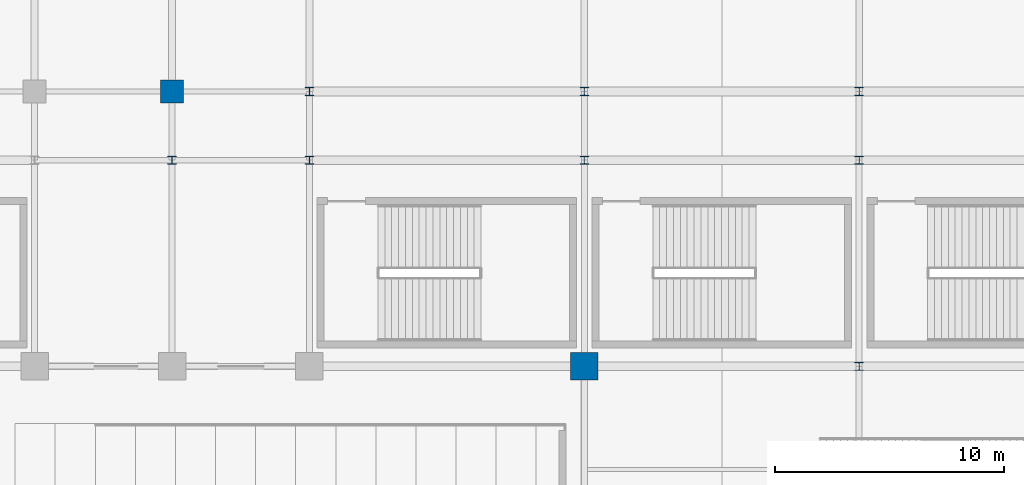
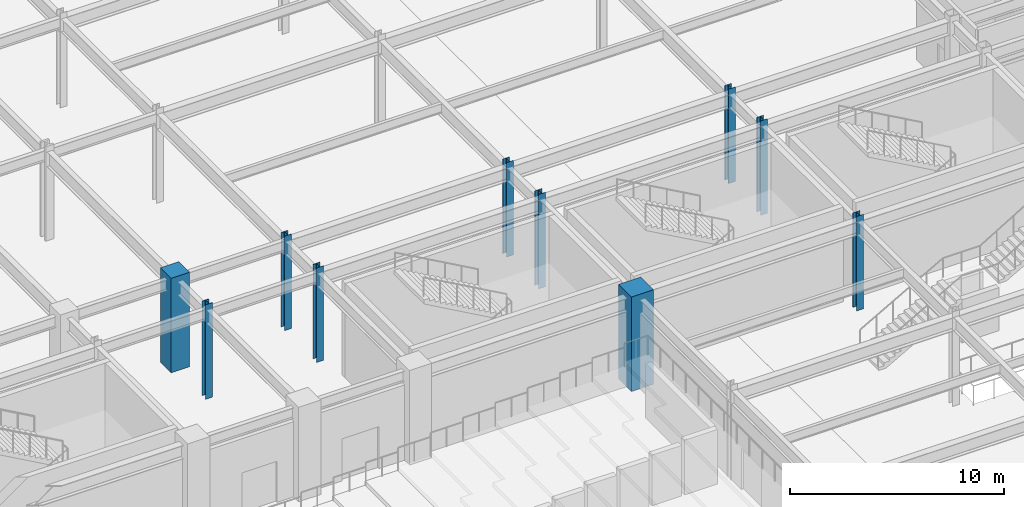
# One storey, part 12 of 100: 10 columns.
"""IFC4 building model written with IfcOpenShell, lengths in metres."""

from ifc_helpers import new_model, si_unit, direction, frame, origin, origin_2d, place, context, subcontext, project, spatial, rectangle, i_section, extrude, material, material_profile, profile_set, type_object, element, save


model = new_model("IFC4")

# Units and contexts
model_context = context("Model", 3, precision=1e-05, world=origin(), true_north=direction((0.0, 1.0)))
body_context = subcontext(model_context, "Body", "Model", "MODEL_VIEW")
ifc_project = project(units=[si_unit("LENGTHUNIT", "METRE"), si_unit("AREAUNIT", "SQUARE_METRE"), si_unit("VOLUMEUNIT", "CUBIC_METRE"), si_unit("PLANEANGLEUNIT", "RADIAN"), si_unit("MASSUNIT", "GRAM", prefix="KILO")], contexts=[model_context])

# Site, building, storey
site_placement = place(None, origin())
site = spatial("IfcSite", under=ifc_project, at=site_placement, CompositionType="ELEMENT")
building_placement = place(site_placement, origin())
building = spatial("IfcBuilding", under=site, at=building_placement, Name="Kaldorvane Square Convention Centre", CompositionType="ELEMENT")
storey_placement = place(building_placement, frame((0.0, 0.0, 18.0)))
storey = spatial("IfcBuildingStorey", under=building, at=storey_placement, Name="L03", CompositionType="ELEMENT", Elevation=18.0)

# Columns
ifc_material_1 = material(Name="Concrete f'c = 55 MPa (Normalweight)", Category="concrete")
ifc_material_profile_1 = material_profile(ifc_material_1, rectangle(XDim=1.1999969482421875, YDim=1.1999969482421875, at=origin_2d()), Name="RC1200X1200")
ifc_profile_set_1 = profile_set([ifc_material_profile_1], Name="Concrete f'c = 55 MPa (Normalweight)")
column_type_1 = type_object("IfcColumnType", Name="COL-MEGA-1200", PredefinedType="COLUMN", material=ifc_profile_set_1)
column_1_placement = place(storey_placement, frame((114.0, 72.0, 0.0), z_axis=(0.0, 0.0, 1.0), x_axis=(1.0, 0.0, 0.0)))
element("IfcColumn", 1, at=column_1_placement, inside=storey, type_object=column_type_1, Name="Column MC-02 (L03)", PredefinedType="COLUMN", context=body_context, shape_type="SweptSolid", body=[
    extrude(rectangle(XDim=1.1999969482421875, YDim=1.1999969482421875, at=origin_2d()), origin(), (0.0, 0.0, 1.0), 5.399993896484375),
])
ifc_material_profile_2 = material_profile(ifc_material_1, rectangle(XDim=1.0, YDim=1.0, at=origin_2d()), Name="RC1000X1000")
ifc_profile_set_2 = profile_set([ifc_material_profile_2], Name="Concrete f'c = 55 MPa (Normalweight)")
column_type_2 = type_object("IfcColumnType", Name="COL-RC-1000", PredefinedType="COLUMN", material=ifc_profile_set_2)
column_2_placement = place(storey_placement, frame((96.0, 84.0, 0.0), z_axis=(0.0, 0.0, 1.0), x_axis=(1.0, 0.0, 0.0)))
element("IfcColumn", 2, at=column_2_placement, inside=storey, type_object=column_type_2, Name="Column CC-02 (L03)", PredefinedType="COLUMN", context=body_context, shape_type="SweptSolid", body=[
    extrude(rectangle(XDim=1.0, YDim=1.0, at=origin_2d()), origin(), (0.0, 0.0, 1.0), 5.399993896484375),
])
ifc_material_2 = material(Name="Steel ASTM A992 Gr. 50", Category="steel")
ifc_material_profile_3 = material_profile(ifc_material_2, i_section(OverallWidth=0.3701019287109375, OverallDepth=0.360198974609375, WebThickness=0.012298583984375, FlangeThickness=0.019805908203125, FilletRadius=0.0305023193359375, at=origin_2d()), Name="W14X99")
ifc_profile_set_3 = profile_set([ifc_material_profile_3], Name="Steel ASTM A992 Gr. 50")
column_type_3 = type_object("IfcColumnType", Name="COL-STL-99", PredefinedType="COLUMN", material=ifc_profile_set_3)
for number, where, z_axis, x_axis, name in (
    (3, (96.0, 81.0, 0.0), (0.0, 0.0, 1.0), (1.0, 0.0, 0.0), "Column SC-12 (L03)"),
    (4, (102.0, 81.0, 0.0), (0.0, 0.0, 1.0), (1.0, 0.0, 0.0), "Column SC-12 (L03)"),
    (5, (102.0, 84.0, 0.0), (0.0, 0.0, 1.0), (1.0, 0.0, 0.0), "Column SC-12 (L03)"),
    (6, (114.0, 81.0, 0.0), (0.0, 0.0, 1.0), (1.0, 0.0, 0.0), "Column SC-12 (L03)"),
    (7, (114.0, 84.0, 0.0), (0.0, 0.0, 1.0), (1.0, 0.0, 0.0), "Column SC-12 (L03)"),
    (8, (126.0, 72.0, 0.0), (0.0, 0.0, 1.0), (1.0, 0.0, 0.0), "Column SC-12 (L03)"),
    (9, (126.0, 81.0, 0.0), (0.0, 0.0, 1.0), (1.0, 0.0, 0.0), "Column SC-12 (L03)"),
    (10, (126.0, 84.0, 0.0), (0.0, 0.0, 1.0), (1.0, 0.0, 0.0), "Column SC-12 (L03)"),
):
    element("IfcColumn", number, at=place(storey_placement, frame(where, z_axis=z_axis, x_axis=x_axis)), inside=storey, type_object=column_type_3, Name=name, PredefinedType="COLUMN", context=body_context, shape_type="SweptSolid", body=[
        extrude(i_section(OverallWidth=0.3701019287109375, OverallDepth=0.360198974609375, WebThickness=0.012298583984375, FlangeThickness=0.019805908203125, FilletRadius=0.0305023193359375, at=origin_2d()), origin(), (0.0, 0.0, 1.0), 5.399993896484375),
    ])

save(model, "model.ifc")
